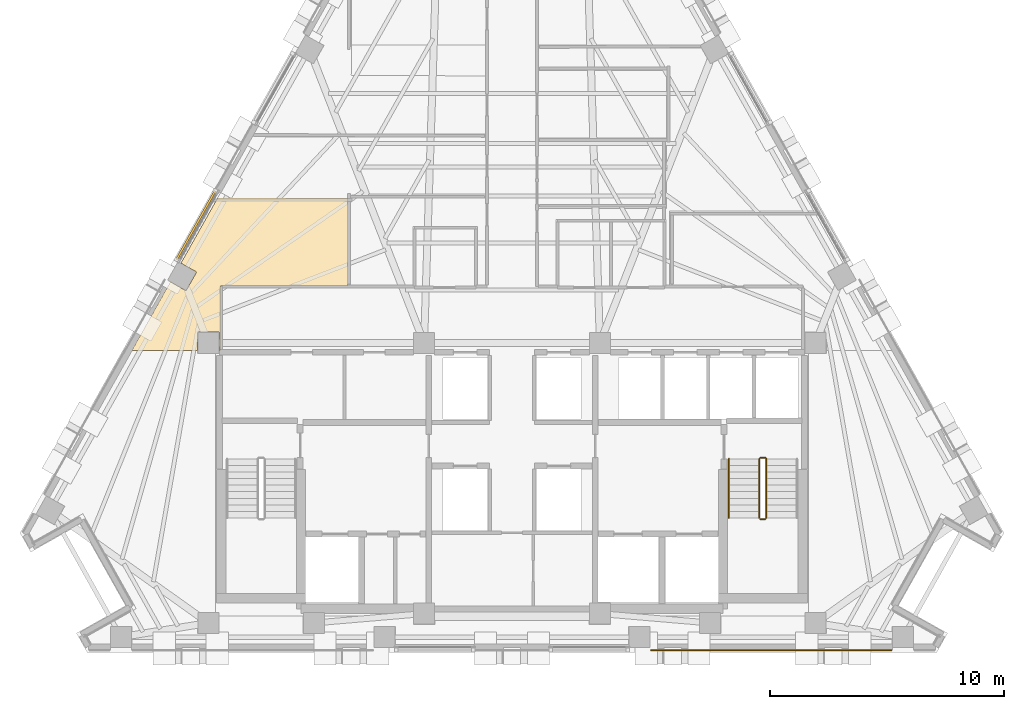
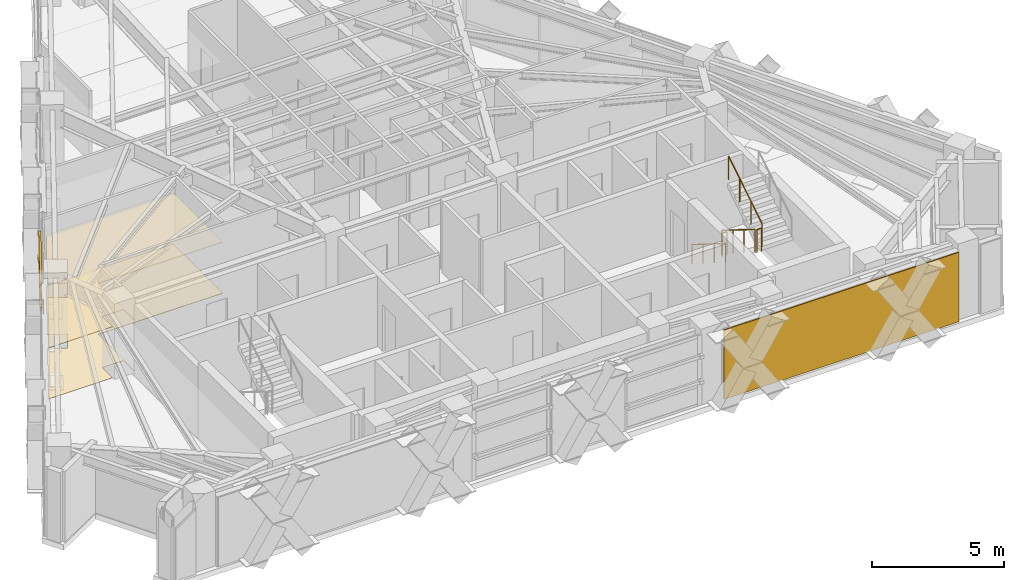
# One storey, part 13 of 15: 5 railings, 3 coverings, 2 shading devices.
"""IFC4 building model written with IfcOpenShell, lengths in metres."""

import ifcopenshell
import ifcopenshell.guid

model = None  # the IFC model being written
_history = None  # IfcOwnerHistory: only IFC2X3 demands one
_inside = {}  # id of a spatial element -> (the spatial element, [elements in it])
_under = {}  # id of a project, library or spatial element -> (it, [spatial elements below it])
_declared = {}  # id of a project -> (the project, [libraries it declares])
_typed = {}  # id of a type object -> (the type object, [elements of that type])
_made_of = {}  # id of a material, layer set ... -> (it, [elements and type objects made of it])


def new_model(schema):
    """Start an empty IFC model of exactly this schema.

    Asked for "IFC4X3", IfcOpenShell would pick the latest addendum, in which some entities
    have other attributes; the version numbers below select the first issue.
    IFC2X3 requires an IfcOwnerHistory on every rooted entity: one is made here for all.
    """
    global model, _history
    if schema == "IFC4X3":
        model = ifcopenshell.file(schema_version=(4, 3, 0, 0))
    else:
        model = ifcopenshell.file(schema=schema)
    _inside.clear()
    _under.clear()
    _declared.clear()
    _typed.clear()
    _made_of.clear()
    _history = None
    if model.schema == "IFC2X3":
        org = make("IfcOrganization", Name="unknown")
        user = make(
            "IfcPersonAndOrganization",
            ThePerson=make("IfcPerson", FamilyName="unknown"),
            TheOrganization=org,
        )
        app = make(
            "IfcApplication",
            ApplicationDeveloper=org,
            Version="unknown",
            ApplicationFullName="unknown",
            ApplicationIdentifier="unknown",
        )
        _history = make(
            "IfcOwnerHistory",
            OwningUser=user,
            OwningApplication=app,
            ChangeAction="ADDED",
            CreationDate=0,
        )
    return model


def make(cls, **values):
    """One entity of the class cls with the attributes given. An attribute that is None is left unset."""
    return model.create_entity(
        cls, **{name: value for name, value in values.items() if value is not None}
    )


def rooted(cls, **values):
    """An entity with a GlobalId (a new one), such as an element, a storey or a relation."""
    return make(cls, GlobalId=ifcopenshell.guid.new(), OwnerHistory=_history, **values)


def si_unit(unit_type, name, prefix=None):
    """IfcSIUnit, for example si_unit("LENGTHUNIT", "METRE", prefix="MILLI")."""
    return make("IfcSIUnit", UnitType=unit_type, Prefix=prefix, Name=name)


def assignment(units):
    """IfcUnitAssignment: the units of a project."""
    return None if units is None else make("IfcUnitAssignment", Units=units)


def point(xyz):
    """IfcCartesianPoint."""
    return None if xyz is None else make("IfcCartesianPoint", Coordinates=xyz)


def direction(xyz):
    """IfcDirection."""
    return None if xyz is None else make("IfcDirection", DirectionRatios=xyz)


def frame(location, z_axis=None, x_axis=None):
    """IfcAxis2Placement3D, a coordinate frame: its origin and axes. An axis left out is left unset."""
    return make(
        "IfcAxis2Placement3D",
        Location=point(location),
        Axis=direction(z_axis),
        RefDirection=direction(x_axis),
    )


def frame_2d(location, x_axis=None):
    """IfcAxis2Placement2D, a coordinate frame in the plane: its origin and x axis."""
    return make(
        "IfcAxis2Placement2D", Location=point(location), RefDirection=direction(x_axis)
    )


def origin():
    """The frame at (0, 0, 0) with its axes left unset."""
    return frame((0.0, 0.0, 0.0))


def origin_2d():
    """The frame at (0, 0) in the plane with its x axis left unset."""
    return frame_2d((0.0, 0.0))


def place(relative_to, where):
    """IfcLocalPlacement: puts the frame where relative to a parent placement (None: the world)."""
    return make(
        "IfcLocalPlacement", PlacementRelTo=relative_to, RelativePlacement=where
    )


def context(
    kind, dimensions, precision=None, world=None, true_north=None, identifier=None
):
    """IfcGeometricRepresentationContext, for example the 3D "Model" context."""
    return make(
        "IfcGeometricRepresentationContext",
        ContextIdentifier=identifier,
        ContextType=kind,
        CoordinateSpaceDimension=dimensions,
        Precision=precision,
        WorldCoordinateSystem=world,
        TrueNorth=true_north,
    )


def subcontext(parent, identifier, kind, view, scale=None):
    """IfcGeometricRepresentationSubContext, for example "Body" below "Model"."""
    return make(
        "IfcGeometricRepresentationSubContext",
        ContextIdentifier=identifier,
        ContextType=kind,
        ParentContext=parent,
        TargetScale=scale,
        TargetView=view,
    )


def project(units=None, contexts=None):
    """IfcProject with its units and contexts."""
    return rooted(
        "IfcProject",
        Name="project",
        RepresentationContexts=contexts,
        UnitsInContext=assignment(units),
    )


def spatial(cls, under=None, at=None, **own):
    """A site, building, storey or space (cls), placed at a placement, below another one or the project."""
    s = rooted(cls, ObjectPlacement=at, **own)
    if under is not None:
        _under.setdefault(under.id(), (under, []))[1].append(s)
    return s


def polyline(points):
    """IfcPolyline through the points."""
    return make("IfcPolyline", Points=[point(p) for p in points])


def profile(cls, at=None, kind="AREA", **sizes):
    """A parametric profile (cls). Its sizes go by their IFC names, for example OverallWidth=200.0."""
    return make(cls, ProfileType=kind, Position=at, **sizes)


def rectangle(**sizes):
    """IfcRectangleProfileDef."""
    return profile("IfcRectangleProfileDef", **sizes)


def circle(**sizes):
    """IfcCircleProfileDef."""
    return profile("IfcCircleProfileDef", **sizes)


def outline(outer, holes=None, kind="AREA"):
    """IfcArbitraryClosedProfileDef: a profile drawn as a closed curve; with holes, ...WithVoids."""
    if holes is None:
        return make("IfcArbitraryClosedProfileDef", ProfileType=kind, OuterCurve=outer)
    return make(
        "IfcArbitraryProfileDefWithVoids",
        ProfileType=kind,
        OuterCurve=outer,
        InnerCurves=holes,
    )


def extrude(swept, where, along, depth):
    """IfcExtrudedAreaSolid: the profile swept, set in the frame where, extruded along a direction by depth."""
    return make(
        "IfcExtrudedAreaSolid",
        SweptArea=swept,
        Position=where,
        ExtrudedDirection=direction(along),
        Depth=depth,
    )


def shape(context_of_items, identifier, shape_type, items):
    """IfcShapeRepresentation: the items that make up one representation, for example the "Body"."""
    return make(
        "IfcShapeRepresentation",
        ContextOfItems=context_of_items,
        RepresentationIdentifier=identifier,
        RepresentationType=shape_type,
        Items=items,
    )


def material(Name=None, Category=None):
    """IfcMaterial."""
    return make("IfcMaterial", Name=Name, Category=Category)


def layer(
    of_material, thickness, ventilated=None, Name=None, Category=None, Priority=None
):
    """IfcMaterialLayer: one layer of a wall or slab, of a material (None: an air gap)."""
    return make(
        "IfcMaterialLayer",
        Material=of_material,
        LayerThickness=thickness,
        IsVentilated=ventilated,
        Name=Name,
        Category=Category,
        Priority=Priority,
    )


def layer_set(layers, Name=None):
    """IfcMaterialLayerSet."""
    return make("IfcMaterialLayerSet", MaterialLayers=layers, LayerSetName=Name)


def material_profile(
    of_material, cross_section, Name=None, Category=None, Priority=None
):
    """IfcMaterialProfile: a cross section and its material."""
    return make(
        "IfcMaterialProfile",
        Name=Name,
        Material=of_material,
        Profile=cross_section,
        Priority=Priority,
        Category=Category,
    )


def profile_set(profiles, Name=None, composite=None):
    """IfcMaterialProfileSet."""
    return make(
        "IfcMaterialProfileSet",
        Name=Name,
        MaterialProfiles=profiles,
        CompositeProfile=composite,
    )


def made_of(thing, what):
    """Note that an element or type object is made of a material, layer set ...; save() writes the relation."""
    if what is not None:
        _made_of.setdefault(what.id(), (what, []))[1].append(thing)
    return thing


def type_object(cls, material=None, **own):
    """A type object (cls), such as IfcWallType, which elements share."""
    return made_of(rooted(cls, **own), material)


def element(
    cls,
    number,
    at=None,
    inside=None,
    cuts=None,
    type_object=None,
    material=None,
    context=None,
    identifier="Body",
    shape_type=None,
    held_by="IfcProductDefinitionShape",
    body=None,
    shapes=None,
    **own,
):
    """One element of the class cls, such as IfcWall. Its Tag is "e" and its number.

    at: its placement. inside: the storey or other place that contains it. cuts: it is an
    opening in that element (IfcRelVoidsElement). A single representation is given by context,
    identifier, shape_type and body (its items); several are given by shapes. held_by: the class
    of the entity that holds the representations. save() writes the other relations.
    """
    e = rooted(cls, Tag="e%d" % number, ObjectPlacement=at, **own)
    if body is not None:
        shapes = [shape(context, identifier, shape_type, body)]
    if shapes is not None:
        e.Representation = make(held_by, Representations=shapes)
    if inside is not None:
        _inside.setdefault(inside.id(), (inside, []))[1].append(e)
    if cuts is not None:
        rooted(
            "IfcRelVoidsElement", RelatingBuildingElement=cuts, RelatedOpeningElement=e
        )
    if type_object is not None:
        _typed.setdefault(type_object.id(), (type_object, []))[1].append(e)
    return made_of(e, material)


def aggregate(whole, parts):
    """IfcRelAggregates: a whole, such as a stair, and the parts it consists of."""
    return rooted("IfcRelAggregates", RelatingObject=whole, RelatedObjects=parts)


def save(model, path):
    """Write the relations noted so far, then the file.

    IfcRelAggregates (storeys below a building ...), IfcRelContainedInSpatialStructure (elements
    in a storey), IfcRelDefinesByType, IfcRelAssociatesMaterial and IfcRelDeclares: one each for
    every whole, place, type object, material and project.
    """
    for whole, parts in _under.values():
        aggregate(whole, parts)
    for where, things in _inside.values():
        rooted(
            "IfcRelContainedInSpatialStructure",
            RelatedElements=things,
            RelatingStructure=where,
        )
    for kind, things in _typed.values():
        rooted("IfcRelDefinesByType", RelatedObjects=things, RelatingType=kind)
    for what, things in _made_of.values():
        rooted("IfcRelAssociatesMaterial", RelatedObjects=things, RelatingMaterial=what)
    for by, libraries in _declared.values():
        rooted("IfcRelDeclares", RelatingContext=by, RelatedDefinitions=libraries)
    model.write(path)


model = new_model("IFC4")

# Units and contexts
model_context = context("Model", 3, precision=1e-05, world=origin(), true_north=direction((0.0, 1.0)))
body_context = subcontext(model_context, "Body", "Model", "MODEL_VIEW")
ifc_project = project(units=[si_unit("LENGTHUNIT", "METRE"), si_unit("AREAUNIT", "SQUARE_METRE"), si_unit("VOLUMEUNIT", "CUBIC_METRE"), si_unit("PLANEANGLEUNIT", "RADIAN"), si_unit("MASSUNIT", "GRAM", prefix="KILO")], contexts=[model_context])

# Site, building, storey
site_placement = place(None, origin())
site = spatial("IfcSite", under=ifc_project, at=site_placement, CompositionType="ELEMENT")
building_placement = place(site_placement, origin())
building = spatial("IfcBuilding", under=site, at=building_placement, Name="Quenlor Broadcast Tower", CompositionType="ELEMENT")
storey_placement = place(building_placement, frame((0.0, 0.0, 183.39990234375)))
storey = spatial("IfcBuildingStorey", under=building, at=storey_placement, Name="L50", CompositionType="ELEMENT", Elevation=183.39990234375)

# Covering
ifc_material_1 = material(Name="Acoustic Mineral Fibre Board", Category="other")
ifc_layer_1 = layer(ifc_material_1, 0.02490234375)
ifc_layer_set_1 = layer_set([ifc_layer_1], Name="Acoustic Perforated Mineral Tile Ceiling 25")
covering_type_1 = type_object("IfcCoveringType", Name="Acoustic Perforated Mineral Tile Ceiling 25", PredefinedType="CEILING", material=ifc_layer_set_1)
covering_1_placement = place(storey_placement, frame((0.0, 0.0, 2.359130859375)))
element("IfcCovering", 1, at=covering_1_placement, inside=storey, type_object=covering_type_1, Name="L50 Acoustic Ceiling L50-36", PredefinedType="CEILING", context=body_context, shape_type="SweptSolid", body=[
    extrude(outline(polyline([(-14.572021484375, -2.199462890625), (-13.90283203125, -2.575927734375), (-13.45361328125, -1.777587890625), (-14.123046875, -1.401123046875), (-12.552978515625, 1.389892578125), (-7.0, 1.389892578125), (-7.0, -2.3701171875), (-12.43994140625, -2.3701171875), (-12.43994140625, -5.1201171875), (-12.491943359375, -5.1201171875), (-12.491943359375, -4.342041015625), (-13.407958984375, -4.342041015625), (-13.407958984375, -5.1201171875), (-16.21484375, -5.1201171875), (-14.572021484375, -2.199462890625)])), origin(), (0.0, 0.0, 1.0), 0.02490234375),
])

# Shading devices
ifc_material_2 = material(Name="Architectural Terracotta Ceramic", Category="masonry")
ifc_material_profile = material_profile(ifc_material_2, rectangle(XDim=0.090087890625, YDim=0.139892578125, at=origin_2d()))
ifc_profile_set = profile_set([ifc_material_profile], Name="Architectural Terracotta Ceramic BAG90x140")
shading_device_type = type_object("IfcShadingDeviceType", Name="Copper Terracotta Baguette Solar Screen 140", PredefinedType="USERDEFINED", material=ifc_profile_set)
for number, where, z_axis, x_axis, name in (
    (2, (-14.307861328125, -1.244384765625, 1.170166015625), (0.490195776457, 0.871612356925, 0.0), (-0.871612356925, 0.490195776457, 0.0), "L50 Terracotta Baguette Screen 1"),
    (3, (-14.307861328125, -1.244384765625, 2.340087890625), (0.490195776457, 0.871612356925, 0.0), (-0.871612356925, 0.490195776457, 0.0), "L50 Terracotta Baguette Screen 2"),
):
    element("IfcShadingDevice", number, at=place(storey_placement, frame(where, z_axis=z_axis, x_axis=x_axis)), inside=storey, type_object=shading_device_type, Name=name, ObjectType="BAGUETTE", PredefinedType="USERDEFINED", context=body_context, shape_type="SweptSolid", body=[
        extrude(rectangle(XDim=0.090087890625, YDim=0.139892578125, at=origin_2d()), origin(), (0.0, 0.0, 1.0), 3.3642578125),
    ])

# Coverings
ifc_material_3 = material(Name="Architectural Terracotta Ceramic", Category="masonry")
ifc_layer_2 = layer(ifc_material_3, 0.044921875)
ifc_layer_set_2 = layer_set([ifc_layer_2], Name="Fluted Terracotta Rainscreen Cladding Panel")
covering_type_2 = type_object("IfcCoveringType", Name="Fluted Terracotta Rainscreen Cladding Panel", PredefinedType="CLADDING", material=ifc_layer_set_2)
covering_2_placement = place(storey_placement, frame((0.0, 0.0, 0.02001953125)))
element("IfcCovering", 4, at=covering_2_placement, inside=storey, type_object=covering_type_2, Name="L50 Terracotta Rainscreen Cladding L50-EW-SA", PredefinedType="CLADDING", context=body_context, shape_type="SweptSolid", body=[
    extrude(outline(polyline([(16.19091796875, -17.89697265625), (5.9228515625, -17.89697265625), (5.9228515625, -17.94189453125), (16.19091796875, -17.94189453125), (16.19091796875, -17.89697265625)])), origin(), (0.0, 0.0, 1.0), 3.2099609375),
])
ifc_material_4 = material(Name="Terrazzo Stone Finish", Category="masonry")
ifc_layer_3 = layer(ifc_material_4, 0.02001953125)
ifc_layer_set_3 = layer_set([ifc_layer_3], Name="Polished Sandstone Terrazzo Flooring 20")
covering_type_3 = type_object("IfcCoveringType", Name="Polished Sandstone Terrazzo Flooring 20", PredefinedType="FLOORING", material=ifc_layer_set_3)
covering_3_placement = place(storey_placement, origin())
element("IfcCovering", 5, at=covering_3_placement, inside=storey, type_object=covering_type_3, Name="L50 Terrazzo Flooring L50-36", PredefinedType="FLOORING", context=body_context, shape_type="SweptSolid", body=[
    extrude(outline(polyline([(-14.572021484375, -2.199462890625), (-13.90283203125, -2.575927734375), (-13.45361328125, -1.777587890625), (-14.123046875, -1.401123046875), (-12.552978515625, 1.389892578125), (-7.0, 1.389892578125), (-7.0, -2.3701171875), (-12.43994140625, -2.3701171875), (-12.43994140625, -5.1201171875), (-12.491943359375, -5.1201171875), (-12.491943359375, -4.342041015625), (-13.407958984375, -4.342041015625), (-13.407958984375, -5.1201171875), (-16.21484375, -5.1201171875), (-14.572021484375, -2.199462890625)])), origin(), (0.0, 0.0, 1.0), 0.02001953125),
])

# Railings
ifc_material_5 = material(Name="Anodised Aluminium", Category="aluminium")
railing_type_1 = type_object("IfcRailingType", Name="Stainless Aluminium Wall Handrail 900", PredefinedType="HANDRAIL", material=ifc_material_5)
railing_1_placement = place(storey_placement, frame((9.25, -9.75, 0.175048828125)))
element("IfcRailing", 6, at=railing_1_placement, inside=storey, type_object=railing_type_1, Name="L50 ST-2 stair handrail 1", PredefinedType="HANDRAIL", context=body_context, shape_type="SweptSolid", body=[
    extrude(circle(Radius=0.02392578125, at=origin_2d()), frame((0.0, 0.0, 0.8759765625), z_axis=(0.0, -0.848007534815, 0.529984170421), x_axis=(1.0, 0.0, 0.0)), (0.0, 0.0, 1.0), 2.9716796875),
    extrude(circle(Radius=0.02099609375, at=origin_2d()), origin(), (0.0, 0.0, 1.0), 0.851806640625),
    extrude(circle(Radius=0.02099609375, at=origin_2d()), frame((0.0, -0.840087890625, 0.52490234375)), (0.0, 0.0, 1.0), 0.851806640625),
    extrude(circle(Radius=0.02099609375, at=origin_2d()), frame((0.0, -1.679931640625, 1.050048828125)), (0.0, 0.0, 1.0), 0.851806640625),
    extrude(circle(Radius=0.02099609375, at=origin_2d()), frame((0.0, -2.52001953125, 1.574951171875)), (0.0, 0.0, 1.0), 0.851806640625),
])
ifc_material_6 = material(Name="Steel S355", Category="steel")
railing_type_2 = type_object("IfcRailingType", Name="Tubular Steel S355 Stair Guardrail 1100", PredefinedType="BALUSTRADE", material=ifc_material_6)
railing_2_placement = place(storey_placement, frame((10.550048828125, -9.75, 0.175048828125)))
element("IfcRailing", 7, at=railing_2_placement, inside=storey, type_object=railing_type_2, Name="L50 ST-2 stair guard 1", PredefinedType="BALUSTRADE", context=body_context, shape_type="SweptSolid", body=[
    extrude(circle(Radius=0.02392578125, at=origin_2d()), frame((0.0, 0.0, 1.076171875), z_axis=(0.0, -0.848007534815, 0.529984170421), x_axis=(1.0, 0.0, 0.0)), (0.0, 0.0, 1.0), 2.9716796875),
    extrude(circle(Radius=0.02099609375, at=origin_2d()), origin(), (0.0, 0.0, 1.0), 1.052001953125),
    extrude(circle(Radius=0.02099609375, at=origin_2d()), frame((0.0, -0.840087890625, 0.52490234375)), (0.0, 0.0, 1.0), 1.052001953125),
    extrude(circle(Radius=0.02099609375, at=origin_2d()), frame((0.0, -1.679931640625, 1.050048828125)), (0.0, 0.0, 1.0), 1.052001953125),
    extrude(circle(Radius=0.02099609375, at=origin_2d()), frame((0.0, -2.52001953125, 1.574951171875)), (0.0, 0.0, 1.0), 1.052001953125),
])
railing_3_placement = place(storey_placement, frame((10.60009765625, -12.320068359375, 1.75)))
element("IfcRailing", 8, at=railing_3_placement, inside=storey, type_object=railing_type_2, Name="L50 ST-2 stair guard 2", PredefinedType="BALUSTRADE", context=body_context, shape_type="SweptSolid", body=[
    extrude(circle(Radius=0.02392578125, at=origin_2d()), frame((0.0, 0.0, 1.076171875), z_axis=(1.0, 0.0, 0.0), x_axis=(0.0, 1.0, 0.0)), (0.0, 0.0, 1.0), 0.199951171875),
    extrude(circle(Radius=0.02099609375, at=origin_2d()), origin(), (0.0, 0.0, 1.0), 1.052001953125),
    extrude(circle(Radius=0.02099609375, at=origin_2d()), frame((0.199951171875, 0.0, 0.0)), (0.0, 0.0, 1.0), 1.052001953125),
])
railing_4_placement = place(storey_placement, frame((10.85009765625, -12.27001953125, 1.925048828125)))
element("IfcRailing", 9, at=railing_4_placement, inside=storey, type_object=railing_type_2, Name="L50 ST-2 stair guard 3", PredefinedType="BALUSTRADE", context=body_context, shape_type="SweptSolid", body=[
    extrude(circle(Radius=0.02392578125, at=origin_2d()), frame((0.0, 0.0, 1.076171875), z_axis=(0.0, 0.848007534815, 0.529984170421), x_axis=(-1.0, 0.0, 0.0)), (0.0, 0.0, 1.0), 2.9716796875),
    extrude(circle(Radius=0.02099609375, at=origin_2d()), origin(), (0.0, 0.0, 1.0), 1.052001953125),
    extrude(circle(Radius=0.02099609375, at=origin_2d()), frame((0.0, 0.840087890625, 0.52490234375)), (0.0, 0.0, 1.0), 1.052001953125),
    extrude(circle(Radius=0.02099609375, at=origin_2d()), frame((0.0, 1.679931640625, 1.050048828125)), (0.0, 0.0, 1.0), 1.052001953125),
    extrude(circle(Radius=0.02099609375, at=origin_2d()), frame((0.0, 2.52001953125, 1.574951171875)), (0.0, 0.0, 1.0), 1.052001953125),
])
railing_5_placement = place(storey_placement, frame((10.60009765625, -9.699951171875, 0.0)))
element("IfcRailing", 10, at=railing_5_placement, inside=storey, type_object=railing_type_2, Name="L50 ST-2 stair guard 4", PredefinedType="BALUSTRADE", context=body_context, shape_type="SweptSolid", body=[
    extrude(circle(Radius=0.02392578125, at=origin_2d()), frame((0.0, 0.0, 1.076171875), z_axis=(1.0, 0.0, 0.0), x_axis=(0.0, 1.0, 0.0)), (0.0, 0.0, 1.0), 0.199951171875),
    extrude(circle(Radius=0.02099609375, at=origin_2d()), origin(), (0.0, 0.0, 1.0), 1.052001953125),
    extrude(circle(Radius=0.02099609375, at=origin_2d()), frame((0.199951171875, 0.0, 0.0)), (0.0, 0.0, 1.0), 1.052001953125),
])

save(model, "model.ifc")
